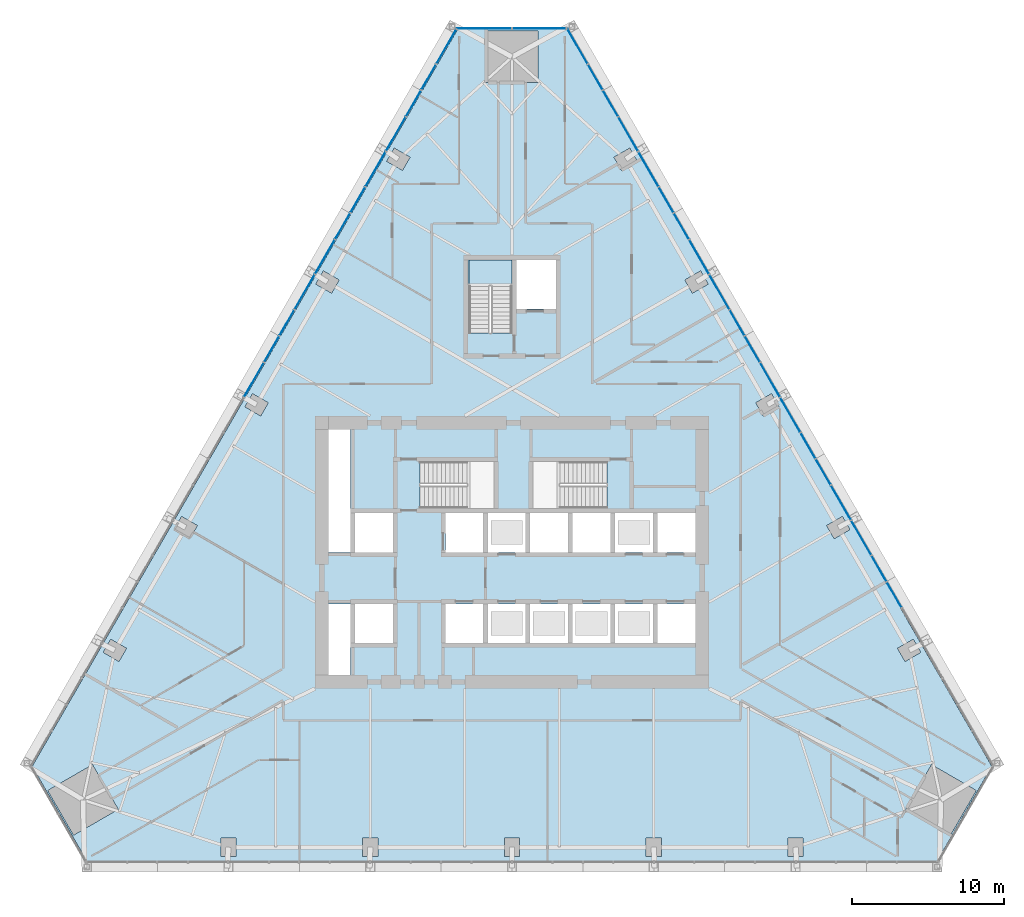
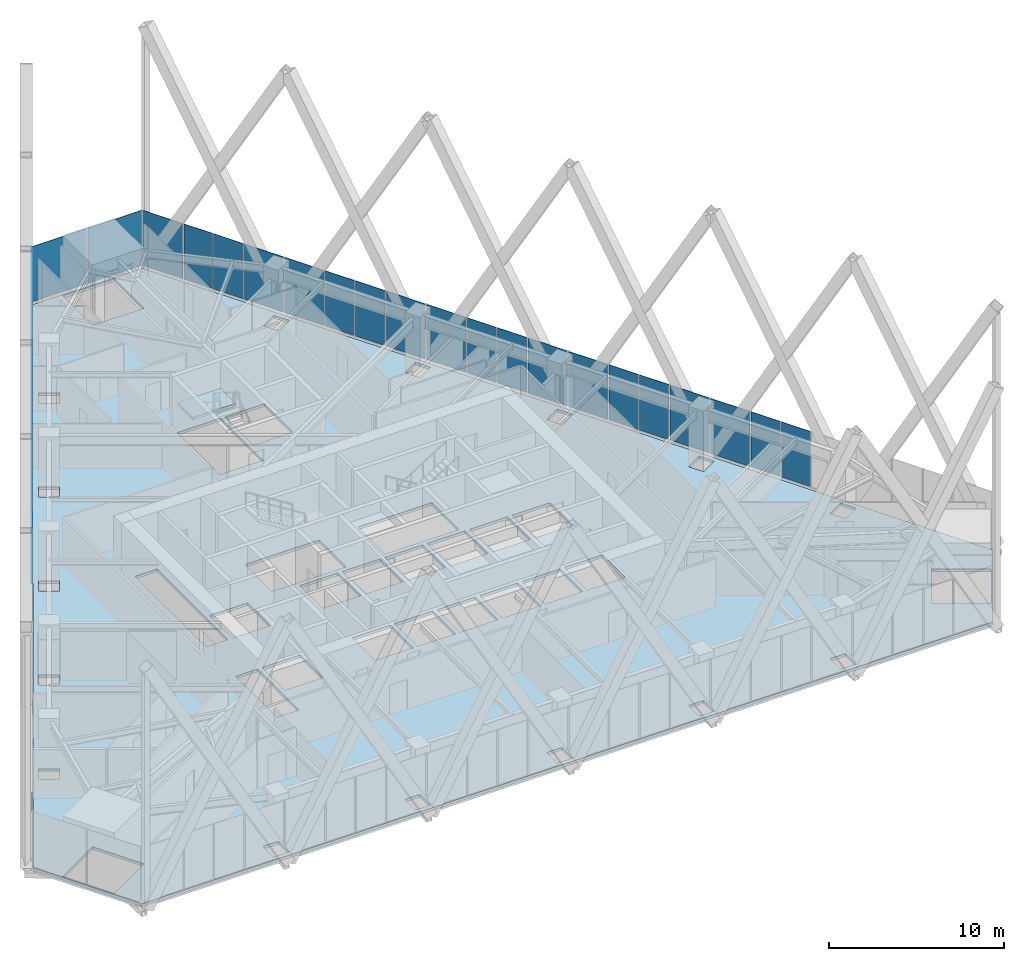
# One storey, part 14 of 21: 33 plates, 2 slabs, 4 elements without a shape of their own.
"""IFC4 building model written with IfcOpenShell, lengths in metres."""

from ifc_helpers import new_model, si_unit, direction, frame, origin, place, context, subcontext, project, spatial, polyline, outline, extrude, material, layer, layer_set, type_object, element, aggregate, save


model = new_model("IFC4")

# Units and contexts
model_context = context("Model", 3, precision=1e-05, world=origin(), true_north=direction((0.0, 1.0)))
body_context = subcontext(model_context, "Body", "Model", "MODEL_VIEW")
ifc_project = project(units=[si_unit("LENGTHUNIT", "METRE"), si_unit("AREAUNIT", "SQUARE_METRE"), si_unit("VOLUMEUNIT", "CUBIC_METRE"), si_unit("PLANEANGLEUNIT", "RADIAN"), si_unit("MASSUNIT", "GRAM", prefix="KILO")], contexts=[model_context])

# Site, building, storey
site_placement = place(None, origin())
site = spatial("IfcSite", under=ifc_project, at=site_placement, CompositionType="ELEMENT")
building_placement = place(site_placement, origin())
building = spatial("IfcBuilding", under=site, at=building_placement, Name="Firuza Gate Tower and Library", CompositionType="ELEMENT")
storey_placement = place(building_placement, frame((0.0, 0.0, 107.199951171875)))
storey = spatial("IfcBuildingStorey", under=building, at=storey_placement, Name="L24", CompositionType="ELEMENT", Elevation=107.199951171875)

# Slab
ifc_material_1 = material(Name="Concrete C40/50", Category="concrete")
ifc_layer_1 = layer(ifc_material_1, 0.199951171875)
ifc_layer_set_1 = layer_set([ifc_layer_1], Name="Composite floor slab 200 C40/50")
slab_type_1 = type_object("IfcSlabType", Name="Composite floor slab 200 C40/50", PredefinedType="FLOOR", material=ifc_layer_set_1)
slab_1_placement = place(storey_placement, frame((0.0, 0.0, -0.199951171875)))
element("IfcSlab", 1, at=slab_1_placement, inside=storey, type_object=slab_type_1, Name="Floor slab L24", PredefinedType="FLOOR", context=body_context, shape_type="SweptSolid", body=[
    extrude(outline(polyline([(43.33740234375, 60.87646484375), (46.937255859375, 54.64111328125), (103.062744140625, 54.64111328125), (106.66259765625, 60.87646484375), (78.60009765625, 109.482421875), (71.39990234375, 109.482421875), (43.33740234375, 60.87646484375)]), holes=[polyline([(55.79150390625, 54.941162109375), (55.79150390625, 56.14111328125), (56.79150390625, 56.14111328125), (56.79150390625, 54.941162109375), (55.79150390625, 54.941162109375)]), polyline([(65.145751953125, 54.941162109375), (65.145751953125, 56.14111328125), (66.145751953125, 56.14111328125), (66.145751953125, 54.941162109375), (65.145751953125, 54.941162109375)]), polyline([(44.3740234375, 59.281005859375), (47.318359375, 60.98095703125), (49.0185546875, 58.03662109375), (46.073974609375, 56.336669921875), (44.3740234375, 59.281005859375)]), polyline([(48.524169921875, 69.260498046875), (49.5634765625, 68.660400390625), (49.0634765625, 67.79443359375), (48.024169921875, 68.39453125), (48.524169921875, 69.260498046875)]), polyline([(64.35009765625, 66.89990234375), (62.89990234375, 66.89990234375), (62.89990234375, 71.60009765625), (64.35009765625, 71.60009765625), (64.35009765625, 66.89990234375)]), polyline([(75.89990234375, 69.0), (73.39990234375, 69.0), (73.39990234375, 71.60009765625), (75.89990234375, 71.60009765625), (75.89990234375, 69.0)]), polyline([(73.10009765625, 69.0), (70.60009765625, 69.0), (70.60009765625, 71.60009765625), (73.10009765625, 71.60009765625), (73.10009765625, 69.0)]), polyline([(64.64990234375, 69.0), (64.64990234375, 71.60009765625), (67.14990234375, 71.60009765625), (67.14990234375, 69.0), (64.64990234375, 69.0)]), polyline([(64.64990234375, 75.0), (64.64990234375, 77.60009765625), (67.14990234375, 77.60009765625), (67.14990234375, 75.0), (64.64990234375, 75.0)]), polyline([(75.89990234375, 75.0), (73.39990234375, 75.0), (73.39990234375, 77.60009765625), (75.89990234375, 77.60009765625), (75.89990234375, 75.0)]), polyline([(73.10009765625, 75.0), (70.60009765625, 75.0), (70.60009765625, 77.60009765625), (73.10009765625, 77.60009765625), (73.10009765625, 75.0)]), polyline([(53.201416015625, 77.361572265625), (54.24072265625, 76.761474609375), (53.74072265625, 75.8955078125), (52.701416015625, 76.495361328125), (53.201416015625, 77.361572265625)]), polyline([(62.89990234375, 75.0), (62.89990234375, 83.10009765625), (64.35009765625, 83.10009765625), (64.35009765625, 75.0), (62.89990234375, 75.0)]), polyline([(68.9404296875, 77.89990234375), (68.9404296875, 80.97998046875), (73.81005859375, 80.97998046875), (73.81005859375, 77.89990234375), (68.9404296875, 77.89990234375)]), polyline([(57.87841796875, 85.46240234375), (58.917724609375, 84.862548828125), (58.417724609375, 83.996337890625), (57.37841796875, 84.596435546875), (57.87841796875, 85.46240234375)]), polyline([(72.159912109375, 89.470458984375), (72.159912109375, 94.300048828125), (75.0, 94.300048828125), (75.0, 89.470458984375), (72.159912109375, 89.470458984375)]), polyline([(62.5556640625, 93.5634765625), (63.5947265625, 92.96337890625), (63.0947265625, 92.097412109375), (62.0556640625, 92.697509765625), (62.5556640625, 93.5634765625)]), polyline([(68.27197265625, 101.064453125), (67.77197265625, 100.198486328125), (66.732666015625, 100.79833984375), (67.232666015625, 101.66455078125), (68.27197265625, 101.064453125)]), polyline([(76.699951171875, 105.982421875), (73.300048828125, 105.982421875), (73.300048828125, 109.38232421875), (76.699951171875, 109.38232421875), (76.699951171875, 105.982421875)]), polyline([(93.20849609375, 54.941162109375), (93.20849609375, 56.14111328125), (94.20849609375, 56.14111328125), (94.20849609375, 54.941162109375), (93.20849609375, 54.941162109375)]), polyline([(74.5, 54.941162109375), (74.5, 56.14111328125), (75.5, 56.14111328125), (75.5, 54.941162109375), (74.5, 54.941162109375)]), polyline([(83.854248046875, 54.941162109375), (83.854248046875, 56.14111328125), (84.854248046875, 56.14111328125), (84.854248046875, 54.941162109375), (83.854248046875, 54.941162109375)]), polyline([(103.926025390625, 56.336669921875), (100.9814453125, 58.03662109375), (102.681640625, 60.98095703125), (105.6259765625, 59.281005859375), (103.926025390625, 56.336669921875)]), polyline([(101.975830078125, 68.39453125), (100.9365234375, 67.79443359375), (100.4365234375, 68.660400390625), (101.475830078125, 69.260498046875), (101.975830078125, 68.39453125)]), polyline([(78.699951171875, 69.0), (76.199951171875, 69.0), (76.199951171875, 71.60009765625), (78.699951171875, 71.60009765625), (78.699951171875, 69.0)]), polyline([(81.5, 69.0), (79.0, 69.0), (79.0, 71.60009765625), (81.5, 71.60009765625), (81.5, 69.0)]), polyline([(84.60009765625, 69.0), (84.60009765625, 71.60009765625), (87.10009765625, 71.60009765625), (87.10009765625, 69.0), (84.60009765625, 69.0)]), polyline([(81.800048828125, 69.0), (81.800048828125, 71.60009765625), (84.300048828125, 71.60009765625), (84.300048828125, 69.0), (81.800048828125, 69.0)]), polyline([(84.300048828125, 75.0), (81.800048828125, 75.0), (81.800048828125, 77.60009765625), (84.300048828125, 77.60009765625), (84.300048828125, 75.0)]), polyline([(87.10009765625, 75.0), (84.60009765625, 75.0), (84.60009765625, 77.60009765625), (87.10009765625, 77.60009765625), (87.10009765625, 75.0)]), polyline([(81.5, 75.0), (79.0, 75.0), (79.0, 77.60009765625), (81.5, 77.60009765625), (81.5, 75.0)]), polyline([(76.199951171875, 75.0), (76.199951171875, 77.60009765625), (78.699951171875, 77.60009765625), (78.699951171875, 75.0), (76.199951171875, 75.0)]), polyline([(96.25927734375, 75.8955078125), (95.75927734375, 76.761474609375), (96.798583984375, 77.361572265625), (97.298583984375, 76.495361328125), (96.25927734375, 75.8955078125)]), polyline([(81.259521484375, 77.89990234375), (76.389892578125, 77.89990234375), (76.389892578125, 80.97998046875), (81.259521484375, 80.97998046875), (81.259521484375, 77.89990234375)]), polyline([(92.62158203125, 84.596435546875), (91.582275390625, 83.996337890625), (91.082275390625, 84.862548828125), (92.12158203125, 85.46240234375), (92.62158203125, 84.596435546875)]), polyline([(77.89990234375, 91.050048828125), (75.300048828125, 91.050048828125), (75.300048828125, 94.300048828125), (77.89990234375, 94.300048828125), (77.89990234375, 91.050048828125)]), polyline([(86.9052734375, 92.097412109375), (86.4052734375, 92.96337890625), (87.4443359375, 93.5634765625), (87.9443359375, 92.697509765625), (86.9052734375, 92.097412109375)]), polyline([(82.22802734375, 100.198486328125), (81.72802734375, 101.064453125), (82.767333984375, 101.66455078125), (83.267333984375, 100.79833984375), (82.22802734375, 100.198486328125)])]), origin(), (0.0, 0.0, 1.0), 0.199951171875),
])

# Curtain wall, plates
ifc_material_2 = material(Name="Aluminium 6063-T6", Category="aluminium")
ifc_layer_2 = layer(ifc_material_2, 0.14990234375)
ifc_layer_set_2 = layer_set([ifc_layer_2], Name="Corner curtain wall, chamfers")
curtain_wall_type_1 = type_object("IfcCurtainWallType", Name="Corner curtain wall, chamfers", PredefinedType="NOTDEFINED", material=ifc_layer_set_2)
placement = place(storey_placement, origin())
curtain_wall_1 = element("IfcCurtainWall", 2, at=placement, inside=storey, type_object=curtain_wall_type_1, Name="CW4 L24 N corner", PredefinedType="NOTDEFINED")
ifc_material_3 = material(Name="Fritted glass", Category="glass")
ifc_layer_3 = layer(ifc_material_3, 0.030029296875)
ifc_layer_set_3 = layer_set([ifc_layer_3], Name="Fritted glass unit, corners")
plate_type_1 = type_object("IfcPlateType", Name="Fritted glass unit, corners", PredefinedType="CURTAIN_PANEL", material=ifc_layer_set_3)
plate_1_placement = place(storey_placement, frame((78.603271484375, 109.572509765625, 0.150146484375), z_axis=(0.0, 1.0, 0.0), x_axis=(-1.0, 0.0, 0.0)))
plate_1 = element("IfcPlate", 3, at=plate_1_placement, type_object=plate_type_1, Name="Glass unit", PredefinedType="CURTAIN_PANEL", context=body_context, shape_type="SweptSolid", body=[
    extrude(outline(polyline([(0.0, 0.0), (3.563232421875, 0.0), (3.563232421875, 3.849853515625), (0.0, 3.849853515625), (0.0, 0.0)])), origin(), (0.0, 0.0, -1.0), 0.030029296875),
])
plate_2_placement = place(storey_placement, frame((74.9599609375, 109.572509765625, 0.150146484375), z_axis=(0.0, 1.0, 0.0), x_axis=(-1.0, 0.0, 0.0)))
plate_2 = element("IfcPlate", 4, at=plate_2_placement, type_object=plate_type_1, Name="Glass unit", PredefinedType="CURTAIN_PANEL", context=body_context, shape_type="SweptSolid", body=[
    extrude(outline(polyline([(0.0, 0.0), (3.563232421875, 0.0), (3.563232421875, 3.849853515625), (0.0, 3.849853515625), (0.0, 0.0)])), origin(), (0.0, 0.0, -1.0), 0.030029296875),
])
aggregate(curtain_wall_1, [plate_1, plate_2])

ifc_material_4 = material(Name="Aluminium 6063-T6", Category="aluminium")
ifc_layer_4 = layer(ifc_material_4, 0.14990234375)
ifc_layer_set_4 = layer_set([ifc_layer_4], Name="Unitised curtain wall, offices")
curtain_wall_type_2 = type_object("IfcCurtainWallType", Name="Unitised curtain wall, offices", PredefinedType="NOTDEFINED", material=ifc_layer_set_4)
curtain_wall_2 = element("IfcCurtainWall", 5, at=placement, inside=storey, type_object=curtain_wall_type_2, Name="CW1 L24 E face", PredefinedType="NOTDEFINED")
ifc_material_5 = material(Name="Fritted glass", Category="glass")
ifc_layer_5 = layer(ifc_material_5, 0.030029296875)
ifc_layer_set_5 = layer_set([ifc_layer_5], Name="Fritted glass unit, offices")
plate_type_2 = type_object("IfcPlateType", Name="Fritted glass unit, offices", PredefinedType="CURTAIN_PANEL", material=ifc_layer_set_5)
plate_3_placement = place(storey_placement, frame((100.70703125, 71.371826171875, 0.150146484375), z_axis=(0.866055239177, 0.499948320023, 0.0), x_axis=(-0.499948320023, 0.866055239177, 0.0)))
plate_3 = element("IfcPlate", 6, at=plate_3_placement, type_object=plate_type_2, Name="Glass unit", PredefinedType="CURTAIN_PANEL", context=body_context, shape_type="SweptSolid", body=[
    extrude(outline(polyline([(0.0, 0.0), (1.9025403964883187, 0.0), (1.9025403964883187, 3.849853515625), (0.0, 3.849853515625), (0.0, 0.0)])), origin(), (0.0, 0.0, -1.0), 0.030029296875),
])
plate_4_placement = place(storey_placement, frame((99.7158203125, 73.0888671875, 0.150146484375), z_axis=(0.865995465643, 0.500051850797, 0.0), x_axis=(-0.500051850797, 0.865995465643, 0.0)))
plate_4 = element("IfcPlate", 7, at=plate_4_placement, type_object=plate_type_2, Name="Glass unit", PredefinedType="CURTAIN_PANEL", context=body_context, shape_type="SweptSolid", body=[
    extrude(outline(polyline([(0.0, 0.0), (1.9460872501492925, 0.0), (1.9460872501492925, 3.849853515625), (0.0, 3.849853515625), (0.0, 0.0)])), origin(), (0.0, 0.0, -1.0), 0.030029296875),
])
plate_5_placement = place(storey_placement, frame((96.030029296875, 79.472900390625, 0.150146484375), z_axis=(0.866024401789, 0.500001735503, 0.0), x_axis=(-0.500001735503, 0.866024401789, 0.0)))
plate_5 = element("IfcPlate", 8, at=plate_5_placement, type_object=plate_type_2, Name="Glass unit", PredefinedType="CURTAIN_PANEL", context=body_context, shape_type="SweptSolid", body=[
    extrude(outline(polyline([(0.0, 0.0), (1.9169855336303587, 0.0), (1.9169855336303587, 3.8498535156249996), (0.0, 3.8498535156249996), (0.0, 0.0)])), origin(), (0.0, 0.0, -1.0), 0.030029296875),
])
plate_6_placement = place(storey_placement, frame((95.031494140625, 81.202392578125, 0.150146484375), z_axis=(0.865994022444, 0.500054350137, 0.0), x_axis=(-0.500054350137, 0.865994022444, 0.0)))
plate_6 = element("IfcPlate", 9, at=plate_6_placement, type_object=plate_type_2, Name="Glass unit", PredefinedType="CURTAIN_PANEL", context=body_context, shape_type="SweptSolid", body=[
    extrude(outline(polyline([(0.0, 0.0), (1.9314306779558341, 0.0), (1.9314306779558341, 3.849853515625001), (0.0, 3.849853515625001), (0.0, 0.0)])), origin(), (0.0, 0.0, -1.0), 0.030029296875),
])
plate_7_placement = place(storey_placement, frame((91.352783203125, 87.57373046875, 0.150146484375), z_axis=(0.866080351936, 0.499904814931, 0.0), x_axis=(-0.499904814931, 0.866080351936, 0.0)))
plate_7 = element("IfcPlate", 10, at=plate_7_placement, type_object=plate_type_2, Name="Glass unit", PredefinedType="CURTAIN_PANEL", context=body_context, shape_type="SweptSolid", body=[
    extrude(outline(polyline([(0.0, 0.0), (1.9315200474888865, 0.0), (1.9315200474888865, 3.849853515625), (0.0, 3.849853515625), (0.0, 0.0)])), origin(), (0.0, 0.0, -1.0), 0.030029296875),
])
plate_8_placement = place(storey_placement, frame((90.34716796875, 89.31591796875, 0.150146484375), z_axis=(0.866024401789, 0.500001735503, 0.0), x_axis=(-0.500001735503, 0.866024401789, 0.0)))
plate_8 = element("IfcPlate", 11, at=plate_8_placement, type_object=plate_type_2, Name="Glass unit", PredefinedType="CURTAIN_PANEL", context=body_context, shape_type="SweptSolid", body=[
    extrude(outline(polyline([(0.0, 0.0), (1.9169855336303587, 0.0), (1.9169855336303587, 3.8498535156249996), (0.0, 3.8498535156249996), (0.0, 0.0)])), origin(), (0.0, 0.0, -1.0), 0.030029296875),
])
plate_9_placement = place(storey_placement, frame((86.67578125, 95.6748046875, 0.150146484375), z_axis=(0.866049790024, 0.499957759415, 0.0), x_axis=(-0.499957759415, 0.866049790024, 0.0)))
plate_9 = element("IfcPlate", 12, at=plate_9_placement, type_object=plate_type_2, Name="Glass unit", PredefinedType="CURTAIN_PANEL", context=body_context, shape_type="SweptSolid", body=[
    extrude(outline(polyline([(0.0, 0.0), (1.9459651786633105, 0.0), (1.9459651786633105, 3.849853515625), (0.0, 3.849853515625), (0.0, 0.0)])), origin(), (0.0, 0.0, -1.0), 0.030029296875),
])
plate_10_placement = place(storey_placement, frame((85.662841796875, 97.42919921875, 0.150146484375), z_axis=(0.866031754707, 0.499988999718, 0.0), x_axis=(-0.499988999718, 0.866031754707, 0.0)))
plate_10 = element("IfcPlate", 13, at=plate_10_placement, type_object=plate_type_2, Name="Glass unit", PredefinedType="CURTAIN_PANEL", context=body_context, shape_type="SweptSolid", body=[
    extrude(outline(polyline([(0.0, 0.0), (1.9028738955502245, 0.0), (1.9028738955502245, 3.849853515625), (0.0, 3.849853515625), (0.0, 0.0)])), origin(), (0.0, 0.0, -1.0), 0.030029296875),
])
plate_11_placement = place(storey_placement, frame((81.99853515625, 103.77587890625, 0.150146484375), z_axis=(0.866073599808, 0.499916512745, 0.0), x_axis=(-0.499916512745, 0.866073599808, 0.0)))
plate_11 = element("IfcPlate", 14, at=plate_11_placement, type_object=plate_type_2, Name="Glass unit", PredefinedType="CURTAIN_PANEL", context=body_context, shape_type="SweptSolid", body=[
    extrude(outline(polyline([(0.0, 0.0), (1.9602882556702226, 0.0), (1.9602882556702226, 3.849853515625), (0.0, 3.849853515625), (0.0, 0.0)])), origin(), (0.0, 0.0, -1.0), 0.030029296875),
])
plate_12_placement = place(storey_placement, frame((80.978515625, 105.542724609375, 0.150146484375), z_axis=(0.866030560329, 0.499991068497, 0.0), x_axis=(-0.499991068497, 0.866030560329, 0.0)))
plate_12 = element("IfcPlate", 15, at=plate_12_placement, type_object=plate_type_2, Name="Glass unit", PredefinedType="CURTAIN_PANEL", context=body_context, shape_type="SweptSolid", body=[
    extrude(outline(polyline([(0.0, 0.0), (1.8882173229881538, 0.0), (1.8882173229881538, 3.849853515625), (0.0, 3.849853515625), (0.0, 0.0)])), origin(), (0.0, 0.0, -1.0), 0.030029296875),
])

curtain_wall_3 = element("IfcCurtainWall", 16, at=placement, inside=storey, type_object=curtain_wall_type_2, Name="CW1 L24 W face", PredefinedType="NOTDEFINED")
plate_13_placement = place(storey_placement, frame((69.965576171875, 107.177978515625, 0.150146484375), z_axis=(-0.866030560329, 0.499991068497, 0.0), x_axis=(-0.499991068497, -0.866030560329, 0.0)))
plate_13 = element("IfcPlate", 17, at=plate_13_placement, type_object=plate_type_2, Name="Glass unit", PredefinedType="CURTAIN_PANEL", context=body_context, shape_type="SweptSolid", body=[
    extrude(outline(polyline([(0.0, 0.0), (1.8882173229881538, 0.0), (1.8882173229881538, 3.849853515625), (0.0, 3.849853515625), (0.0, 0.0)])), origin(), (0.0, 0.0, -1.0), 0.030029296875),
])
plate_14_placement = place(storey_placement, frame((68.9814453125, 105.4736328125, 0.150146484375), z_axis=(-0.866073599808, 0.499916512745, 0.0), x_axis=(-0.499916512745, -0.866073599808, 0.0)))
plate_14 = element("IfcPlate", 18, at=plate_14_placement, type_object=plate_type_2, Name="Glass unit", PredefinedType="CURTAIN_PANEL", context=body_context, shape_type="SweptSolid", body=[
    extrude(outline(polyline([(0.0, 0.0), (1.9602882556702226, 0.0), (1.9602882556702226, 3.849853515625), (0.0, 3.849853515625), (0.0, 0.0)])), origin(), (0.0, 0.0, -1.0), 0.030029296875),
])
plate_15_placement = place(storey_placement, frame((65.28857421875, 99.0771484375, 0.150146484375), z_axis=(-0.866031754707, 0.499988999718, 0.0), x_axis=(-0.499988999718, -0.866031754707, 0.0)))
plate_15 = element("IfcPlate", 19, at=plate_15_placement, type_object=plate_type_2, Name="Glass unit", PredefinedType="CURTAIN_PANEL", context=body_context, shape_type="SweptSolid", body=[
    extrude(outline(polyline([(0.0, 0.0), (1.9028738955502245, 0.0), (1.9028738955502245, 3.849853515625), (0.0, 3.849853515625), (0.0, 0.0)])), origin(), (0.0, 0.0, -1.0), 0.030029296875),
])
plate_16_placement = place(storey_placement, frame((64.297119140625, 97.360107421875, 0.150146484375), z_axis=(-0.866049790024, 0.499957759415, 0.0), x_axis=(-0.499957759415, -0.866049790024, 0.0)))
plate_16 = element("IfcPlate", 20, at=plate_16_placement, type_object=plate_type_2, Name="Glass unit", PredefinedType="CURTAIN_PANEL", context=body_context, shape_type="SweptSolid", body=[
    extrude(outline(polyline([(0.0, 0.0), (1.9459651786633105, 0.0), (1.9459651786633105, 3.849853515625), (0.0, 3.849853515625), (0.0, 0.0)])), origin(), (0.0, 0.0, -1.0), 0.030029296875),
])
plate_17_placement = place(storey_placement, frame((60.611328125, 90.97607421875, 0.150146484375), z_axis=(-0.866024401789, 0.500001735503, 0.0), x_axis=(-0.500001735503, -0.866024401789, 0.0)))
plate_17 = element("IfcPlate", 21, at=plate_17_placement, type_object=plate_type_2, Name="Glass unit", PredefinedType="CURTAIN_PANEL", context=body_context, shape_type="SweptSolid", body=[
    extrude(outline(polyline([(0.0, 0.0), (1.9169855336303587, 0.0), (1.9169855336303587, 3.8498535156249996), (0.0, 3.8498535156249996), (0.0, 0.0)])), origin(), (0.0, 0.0, -1.0), 0.030029296875),
])
plate_18_placement = place(storey_placement, frame((59.61279296875, 89.24658203125, 0.150146484375), z_axis=(-0.866080351936, 0.499904814931, 0.0), x_axis=(-0.499904814931, -0.866080351936, 0.0)))
plate_18 = element("IfcPlate", 22, at=plate_18_placement, type_object=plate_type_2, Name="Glass unit", PredefinedType="CURTAIN_PANEL", context=body_context, shape_type="SweptSolid", body=[
    extrude(outline(polyline([(0.0, 0.0), (1.9315200474888865, 0.0), (1.9315200474888865, 3.849853515625), (0.0, 3.849853515625), (0.0, 0.0)])), origin(), (0.0, 0.0, -1.0), 0.030029296875),
])

# Plate
ifc_material_6 = material(Name="Glazed ceramic tile")
ifc_layer_6 = layer(ifc_material_6, 0.030029296875)
ifc_layer_set_6 = layer_set([ifc_layer_6], Name="Opaque ceramic panel, offices")
plate_type_3 = type_object("IfcPlateType", Name="Opaque ceramic panel, offices", PredefinedType="CURTAIN_PANEL", material=ifc_layer_set_6)
plate_19_placement = place(storey_placement, frame((98.702880859375, 74.843505859375, 0.150146484375), z_axis=(0.86600267068, 0.500039372825, 0.0), x_axis=(-0.500039372825, 0.86600267068, 0.0)))
plate_19 = element("IfcPlate", 23, at=plate_19_placement, type_object=plate_type_3, Name="Opaque ceramic panel", PredefinedType="CURTAIN_PANEL", context=body_context, shape_type="SweptSolid", body=[
    extrude(outline(polyline([(0.0, 0.0), (2.5784102426580846, 0.0), (2.5784102426580846, 3.849853515625), (0.0, 3.849853515625), (0.0, 0.0)])), origin(), (0.0, 0.0, -1.0), 0.030029296875),
])

plate_20_placement = place(storey_placement, frame((97.37353515625, 77.1455078125, 0.150146484375), z_axis=(0.866062405902, 0.499935904975, 0.0), x_axis=(-0.499935904975, 0.866062405902, 0.0)))
plate_20 = element("IfcPlate", 24, at=plate_20_placement, type_object=plate_type_3, Name="Opaque ceramic panel", PredefinedType="CURTAIN_PANEL", context=body_context, shape_type="SweptSolid", body=[
    extrude(outline(polyline([(0.0, 0.0), (2.6072678195433303, 0.0), (2.6072678195433303, 3.849853515625), (0.0, 3.849853515625), (0.0, 0.0)])), origin(), (0.0, 0.0, -1.0), 0.030029296875),
])

plate_21_placement = place(storey_placement, frame((94.025634765625, 82.9443359375, 0.150146484375), z_axis=(0.866020935974, 0.500007738395, 0.0), x_axis=(-0.500007738395, 0.866020935974, 0.0)))
plate_21 = element("IfcPlate", 25, at=plate_21_placement, type_object=plate_type_3, Name="Opaque ceramic panel", PredefinedType="CURTAIN_PANEL", context=body_context, shape_type="SweptSolid", body=[
    extrude(outline(polyline([(0.0, 0.0), (2.592733310309924, 0.0), (2.592733310309924, 3.849853515625), (0.0, 3.849853515625), (0.0, 0.0)])), origin(), (0.0, 0.0, -1.0), 0.030029296875),
])

plate_22_placement = place(storey_placement, frame((92.689208984375, 85.259033203125, 0.150146484375), z_axis=(0.866020935974, 0.500007738395, 0.0), x_axis=(-0.500007738395, 0.866020935974, 0.0)))
plate_22 = element("IfcPlate", 26, at=plate_22_placement, type_object=plate_type_3, Name="Opaque ceramic panel", PredefinedType="CURTAIN_PANEL", context=body_context, shape_type="SweptSolid", body=[
    extrude(outline(polyline([(0.0, 0.0), (2.592733310309924, 0.0), (2.592733310309924, 3.849853515625), (0.0, 3.849853515625), (0.0, 0.0)])), origin(), (0.0, 0.0, -1.0), 0.030029296875),
])

plate_23_placement = place(storey_placement, frame((89.3486328125, 91.04541015625, 0.150146484375), z_axis=(0.865998449813, 0.500046682742, 0.0), x_axis=(-0.500046682742, 0.865998449813, 0.0)))
plate_23 = element("IfcPlate", 27, at=plate_23_placement, type_object=plate_type_3, Name="Opaque ceramic panel", PredefinedType="CURTAIN_PANEL", context=body_context, shape_type="SweptSolid", body=[
    extrude(outline(polyline([(0.0, 0.0), (2.607178454520016, 0.0), (2.607178454520016, 3.849853515625), (0.0, 3.849853515625), (0.0, 0.0)])), origin(), (0.0, 0.0, -1.0), 0.030029296875),
])

plate_24_placement = place(storey_placement, frame((88.0048828125, 93.37255859375, 0.150146484375), z_axis=(0.866043672316, 0.49996835664, 0.0), x_axis=(-0.49996835664, 0.866043672316, 0.0)))
plate_24 = element("IfcPlate", 28, at=plate_24_placement, type_object=plate_type_3, Name="Opaque ceramic panel", PredefinedType="CURTAIN_PANEL", context=body_context, shape_type="SweptSolid", body=[
    extrude(outline(polyline([(0.0, 0.0), (2.5782881714018413, 0.0), (2.5782881714018413, 3.849853515625), (0.0, 3.849853515625), (0.0, 0.0)])), origin(), (0.0, 0.0, -1.0), 0.030029296875),
])

plate_25_placement = place(storey_placement, frame((84.67138671875, 99.146240234375, 0.150146484375), z_axis=(0.866039819127, 0.499975031064, 0.0), x_axis=(-0.499975031064, 0.866039819127, 0.0)))
plate_25 = element("IfcPlate", 29, at=plate_25_placement, type_object=plate_type_3, Name="Opaque ceramic panel", PredefinedType="CURTAIN_PANEL", context=body_context, shape_type="SweptSolid", body=[
    extrude(outline(polyline([(0.0, 0.0), (2.6217129540181845, 0.0), (2.6217129540181845, 3.849853515625), (0.0, 3.849853515625), (0.0, 0.0)])), origin(), (0.0, 0.0, -1.0), 0.030029296875),
])

plate_26_placement = place(storey_placement, frame((83.320556640625, 101.486083984375, 0.150146484375), z_axis=(0.866025432576, 0.499999950132, 0.0), x_axis=(-0.499999950132, 0.866025432576, 0.0)))
plate_26 = element("IfcPlate", 30, at=plate_26_placement, type_object=plate_type_3, Name="Opaque ceramic panel", PredefinedType="CURTAIN_PANEL", context=body_context, shape_type="SweptSolid", body=[
    extrude(outline(polyline([(0.0, 0.0), (2.5639650994676484, 0.0), (2.5639650994676484, 3.849853515625001), (0.0, 3.849853515625001), (0.0, 0.0)])), origin(), (0.0, 0.0, -1.0), 0.030029296875),
])

plate_27_placement = place(storey_placement, frame((79.994384765625, 107.247314453125, 0.150146484375), z_axis=(0.866017478146, 0.500013727357, 0.0), x_axis=(-0.500013727357, 0.866017478146, 0.0)))
plate_27 = element("IfcPlate", 31, at=plate_27_placement, type_object=plate_type_3, Name="Opaque ceramic panel", PredefinedType="CURTAIN_PANEL", context=body_context, shape_type="SweptSolid", body=[
    extrude(outline(polyline([(0.0, 0.0), (2.636158093785347, 0.0), (2.636158093785347, 3.849853515625), (0.0, 3.849853515625), (0.0, 0.0)])), origin(), (0.0, 0.0, -1.0), 0.030029296875),
])

aggregate(curtain_wall_2, [plate_3, plate_4, plate_19, plate_20, plate_5, plate_6, plate_21, plate_22, plate_7, plate_8, plate_23, plate_24, plate_9, plate_10, plate_25, plate_26, plate_11, plate_12, plate_27])

plate_28_placement = place(storey_placement, frame((71.32373046875, 109.5302734375, 0.150146484375), z_axis=(-0.866017478146, 0.500013727357, 0.0), x_axis=(-0.500013727357, -0.866017478146, 0.0)))
plate_28 = element("IfcPlate", 32, at=plate_28_placement, type_object=plate_type_3, Name="Opaque ceramic panel", PredefinedType="CURTAIN_PANEL", context=body_context, shape_type="SweptSolid", body=[
    extrude(outline(polyline([(0.0, 0.0), (2.636158093785347, 0.0), (2.636158093785347, 3.849853515625), (0.0, 3.849853515625), (0.0, 0.0)])), origin(), (0.0, 0.0, -1.0), 0.030029296875),
])

plate_29_placement = place(storey_placement, frame((67.96142578125, 103.70654296875, 0.150146484375), z_axis=(-0.866025432576, 0.499999950132, 0.0), x_axis=(-0.499999950132, -0.866025432576, 0.0)))
plate_29 = element("IfcPlate", 33, at=plate_29_placement, type_object=plate_type_3, Name="Opaque ceramic panel", PredefinedType="CURTAIN_PANEL", context=body_context, shape_type="SweptSolid", body=[
    extrude(outline(polyline([(0.0, 0.0), (2.5639650994676484, 0.0), (2.5639650994676484, 3.849853515625001), (0.0, 3.849853515625001), (0.0, 0.0)])), origin(), (0.0, 0.0, -1.0), 0.030029296875),
])

plate_30_placement = place(storey_placement, frame((66.639404296875, 101.416748046875, 0.150146484375), z_axis=(-0.866039819127, 0.499975031064, 0.0), x_axis=(-0.499975031064, -0.866039819127, 0.0)))
plate_30 = element("IfcPlate", 34, at=plate_30_placement, type_object=plate_type_3, Name="Opaque ceramic panel", PredefinedType="CURTAIN_PANEL", context=body_context, shape_type="SweptSolid", body=[
    extrude(outline(polyline([(0.0, 0.0), (2.6217129540181845, 0.0), (2.6217129540181845, 3.849853515625), (0.0, 3.849853515625), (0.0, 0.0)])), origin(), (0.0, 0.0, -1.0), 0.030029296875),
])

plate_31_placement = place(storey_placement, frame((63.2841796875, 95.60546875, 0.150146484375), z_axis=(-0.866043672316, 0.49996835664, 0.0), x_axis=(-0.49996835664, -0.866043672316, 0.0)))
plate_31 = element("IfcPlate", 35, at=plate_31_placement, type_object=plate_type_3, Name="Opaque ceramic panel", PredefinedType="CURTAIN_PANEL", context=body_context, shape_type="SweptSolid", body=[
    extrude(outline(polyline([(0.0, 0.0), (2.5782881714018413, 0.0), (2.5782881714018413, 3.849853515625), (0.0, 3.849853515625), (0.0, 0.0)])), origin(), (0.0, 0.0, -1.0), 0.030029296875),
])

plate_32_placement = place(storey_placement, frame((61.955078125, 93.30322265625, 0.150146484375), z_axis=(-0.865998449813, 0.500046682742, 0.0), x_axis=(-0.500046682742, -0.865998449813, 0.0)))
plate_32 = element("IfcPlate", 36, at=plate_32_placement, type_object=plate_type_3, Name="Opaque ceramic panel", PredefinedType="CURTAIN_PANEL", context=body_context, shape_type="SweptSolid", body=[
    extrude(outline(polyline([(0.0, 0.0), (2.607178454520016, 0.0), (2.607178454520016, 3.849853515625), (0.0, 3.849853515625), (0.0, 0.0)])), origin(), (0.0, 0.0, -1.0), 0.030029296875),
])

plate_33_placement = place(storey_placement, frame((58.607177734375, 87.50439453125, 0.150146484375), z_axis=(-0.866020935974, 0.500007738395, 0.0), x_axis=(-0.500007738395, -0.866020935974, 0.0)))
plate_33 = element("IfcPlate", 37, at=plate_33_placement, type_object=plate_type_3, Name="Opaque ceramic panel", PredefinedType="CURTAIN_PANEL", context=body_context, shape_type="SweptSolid", body=[
    extrude(outline(polyline([(0.0, 0.0), (2.592733310309924, 0.0), (2.592733310309924, 3.849853515625), (0.0, 3.849853515625), (0.0, 0.0)])), origin(), (0.0, 0.0, -1.0), 0.030029296875),
])

aggregate(curtain_wall_3, [plate_28, plate_13, plate_14, plate_29, plate_30, plate_15, plate_16, plate_31, plate_32, plate_17, plate_18, plate_33])

# Stair, slab
ifc_material_7 = material(Name="Concrete C35/45", Category="concrete")
stair_type = type_object("IfcStairType", Name="Exit stair ST14", PredefinedType="HALF_TURN_STAIR", material=ifc_material_7)
stair = element("IfcStair", 38, at=placement, inside=storey, type_object=stair_type, Name="L24 Stair ST3", PredefinedType="HALF_TURN_STAIR")
ifc_material_8 = material(Name="Concrete C35/45", Category="concrete")
ifc_layer_7 = layer(ifc_material_8, 0.199951171875)
ifc_layer_set_7 = layer_set([ifc_layer_7], Name="Stair landing 200")
slab_type_2 = type_object("IfcSlabType", Name="Stair landing 200", PredefinedType="LANDING", material=ifc_layer_set_7)
slab_2_placement = place(storey_placement, frame((0.0, 0.0, 1.900146484375)))
slab_2 = element("IfcSlab", 39, at=slab_2_placement, type_object=slab_type_2, Name="ST3 landing 1", PredefinedType="LANDING", context=body_context, shape_type="SweptSolid", body=[
    extrude(outline(polyline([(75.0, 92.550048828125), (75.0, 94.300048828125), (72.159912109375, 94.300048828125), (72.159912109375, 92.550048828125), (75.0, 92.550048828125)])), origin(), (0.0, 0.0, 1.0), 0.199951171875),
])
aggregate(stair, [slab_2])

save(model, "model.ifc")
